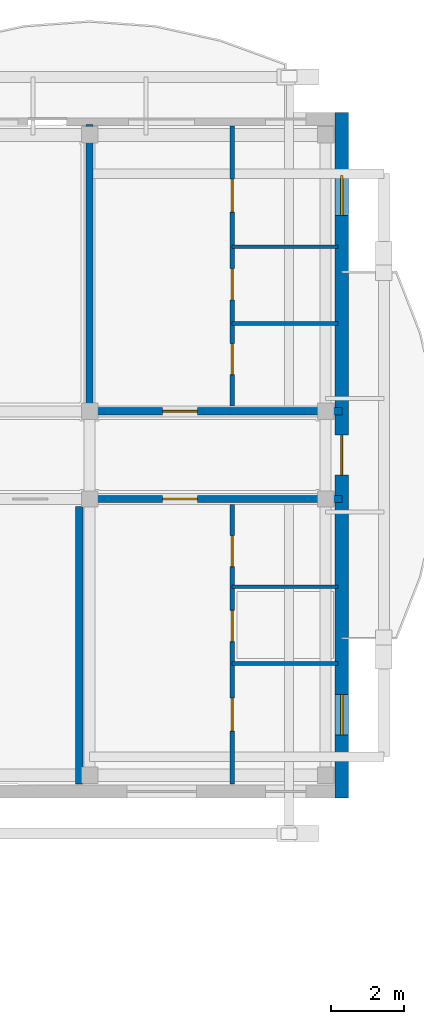
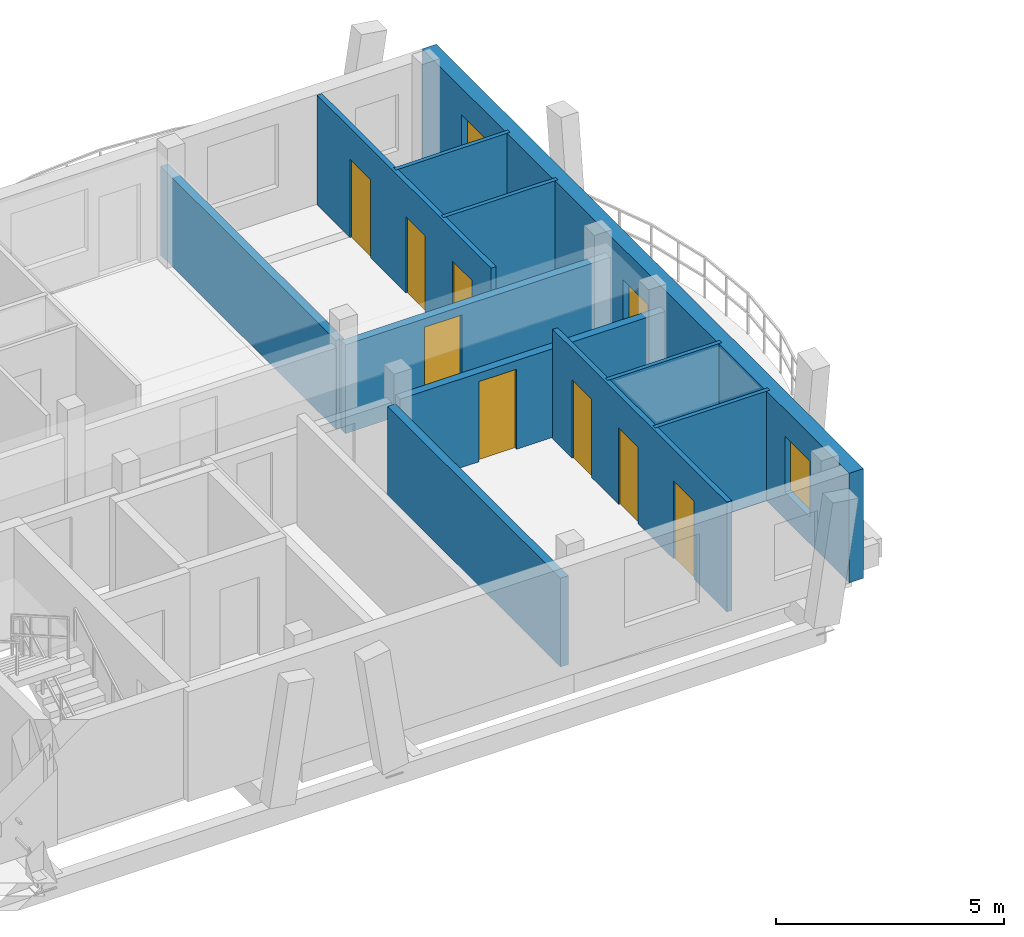
# One storey, part 37 of 52: 11 walls, 9 doors, 2 windows, 11 openings.
"""IFC4 building model written with IfcOpenShell, lengths in metres."""

from ifc_helpers import new_model, si_unit, direction, frame, frame_2d, origin, origin_with_axes, place, context, subcontext, project, spatial, rectangle, extrude, material, layer, layer_set, type_object, element, fill, save


model = new_model("IFC4")

# Units and contexts
model_context = context("Model", 3, precision=1e-05, world=origin(), true_north=direction((0.0, 1.0)))
body_context = subcontext(model_context, "Body", "Model", "MODEL_VIEW")
ifc_project = project(units=[si_unit("LENGTHUNIT", "METRE"), si_unit("AREAUNIT", "SQUARE_METRE"), si_unit("VOLUMEUNIT", "CUBIC_METRE"), si_unit("PLANEANGLEUNIT", "RADIAN"), si_unit("MASSUNIT", "GRAM", prefix="KILO")], contexts=[model_context])

# Site, building, storey
site_placement = place(None, origin())
site = spatial("IfcSite", under=ifc_project, at=site_placement, CompositionType="ELEMENT")
building_placement = place(site_placement, origin())
building = spatial("IfcBuilding", under=site, at=building_placement, Name="Zavelmont Quarter", CompositionType="ELEMENT")
storey_placement = place(building_placement, frame((0.0, 0.0, 14.39990234375)))
storey = spatial("IfcBuildingStorey", under=building, at=storey_placement, Name="L04", CompositionType="ELEMENT", Elevation=14.39990234375)

# Wall, openings, door, windows
ifc_material_1 = material(Name="Natural Belgian limestone", Category="masonry")
ifc_layer_1 = layer(ifc_material_1, 0.360107421875)
ifc_layer_set_1 = layer_set([ifc_layer_1], Name="Natural Belgian limestone")
wall_type_1 = type_object("IfcWallType", Name="EW02", PredefinedType="STANDARD", material=ifc_layer_set_1)
wall_1_placement = place(storey_placement, frame((168.0, 97.419921875, 0.0), z_axis=(0.0, 0.0, 1.0), x_axis=(0.0, 1.0, 0.0)))
wall_1 = element("IfcWall", 1, at=wall_1_placement, inside=storey, type_object=wall_type_1, Name="L04 exterior limestone wall EW02", PredefinedType="STANDARD", context=body_context, shape_type="SweptSolid", body=[
    extrude(rectangle(XDim=18.760009765625, YDim=0.360107421875, at=frame_2d((9.3798828125, 0.0))), origin(), (0.0, 0.0, 1.0), 2.940185546875),
])
opening_1_placement = place(wall_1_placement, frame((8.830078125, 0.0, 0.0)))
opening_1 = element("IfcOpeningElement", 2, at=opening_1_placement, cuts=wall_1, Name="Opening DR04B", PredefinedType="OPENING", context=body_context, shape_type="SweptSolid", body=[
    extrude(rectangle(XDim=1.10009765625, YDim=2.10009765625, at=frame_2d((0.550048828125, 1.050048828125))), frame((0.0, 0.19189453125, 0.0), z_axis=(0.0, -1.0, 0.0), x_axis=(1.0, 0.0, 0.0)), (0.0, 0.0, 1.0), 0.384033203125),
])
opening_2_placement = place(wall_1_placement, frame((1.72998046875, 0.0, 0.719970703125)))
opening_2 = element("IfcOpeningElement", 3, at=opening_2_placement, cuts=wall_1, Name="Opening WN09", PredefinedType="OPENING", context=body_context, shape_type="SweptSolid", body=[
    extrude(rectangle(XDim=1.10009765625, YDim=1.5, at=frame_2d((0.550048828125, 0.75))), frame((0.0, 0.19189453125, 0.0), z_axis=(0.0, -1.0, 0.0), x_axis=(1.0, 0.0, 0.0)), (0.0, 0.0, 1.0), 0.384033203125),
])
opening_3_placement = place(wall_1_placement, frame((15.929931640625, 0.0, 0.719970703125)))
opening_3 = element("IfcOpeningElement", 4, at=opening_3_placement, cuts=wall_1, Name="Opening WN09", PredefinedType="OPENING", context=body_context, shape_type="SweptSolid", body=[
    extrude(rectangle(XDim=1.10009765625, YDim=1.5, at=frame_2d((0.550048828125, 0.75))), frame((0.0, 0.19189453125, 0.0), z_axis=(0.0, -1.0, 0.0), x_axis=(1.0, 0.0, 0.0)), (0.0, 0.0, 1.0), 0.384033203125),
])
ifc_material_2 = material(Name="Thermally broken aluminium and double safety glass", Category="aluminium")
door_type_1 = type_object("IfcDoorType", Name="DR04B", OperationType="NOTDEFINED", PredefinedType="DOOR", material=ifc_material_2)
door_1_placement = place(opening_1_placement, origin_with_axes())
door_1 = element("IfcDoor", 5, at=door_1_placement, inside=storey, type_object=door_type_1, Name="Block C L04 terrace or vase balcony door", OperationType="SINGLE_SWING_LEFT", OverallHeight=2.10009765625, OverallWidth=1.10009765625, PredefinedType="DOOR", context=body_context, shape_type="SweptSolid", body=[
    extrude(rectangle(XDim=1.10009765625, YDim=2.10009765625, at=frame_2d((0.550048828125, 1.050048828125))), frame((0.0, 0.02490234375, 0.0), z_axis=(0.0, -1.0, 0.0), x_axis=(1.0, 0.0, 0.0)), (0.0, 0.0, 1.0), 0.050048828125),
])
fill(opening_1, door_1)
ifc_material_3 = material(Name="Double low-E insulated glazing in thermally broken aluminium frame", Category="aluminium")
window_type = type_object("IfcWindowType", Name="WN09", PartitioningType="SINGLE_PANEL", PredefinedType="WINDOW", material=ifc_material_3)
window_1_placement = place(opening_2_placement, origin_with_axes())
window_1 = element("IfcWindow", 6, at=window_1_placement, inside=storey, type_object=window_type, Name="L04 window WN09", OverallHeight=1.5, OverallWidth=1.10009765625, PartitioningType="SINGLE_PANEL", PredefinedType="WINDOW", context=body_context, shape_type="SweptSolid", body=[
    extrude(rectangle(XDim=1.10009765625, YDim=1.5, at=frame_2d((0.550048828125, 0.75))), frame((0.0, 0.030029296875, 0.0), z_axis=(0.0, -1.0, 0.0), x_axis=(1.0, 0.0, 0.0)), (0.0, 0.0, 1.0), 0.06005859375),
])
fill(opening_2, window_1)
window_2_placement = place(opening_3_placement, origin_with_axes())
window_2 = element("IfcWindow", 7, at=window_2_placement, inside=storey, type_object=window_type, Name="L04 window WN09", OverallHeight=1.5, OverallWidth=1.10009765625, PartitioningType="SINGLE_PANEL", PredefinedType="WINDOW", context=body_context, shape_type="SweptSolid", body=[
    extrude(rectangle(XDim=1.10009765625, YDim=1.5, at=frame_2d((0.550048828125, 0.75))), frame((0.0, 0.030029296875, 0.0), z_axis=(0.0, -1.0, 0.0), x_axis=(1.0, 0.0, 0.0)), (0.0, 0.0, 1.0), 0.06005859375),
])
fill(opening_3, window_2)

# Walls
ifc_material_4 = material(Name="Calcium-silicate blockwork and acoustic plaster", Category="masonry")
ifc_layer_2 = layer(ifc_material_4, 0.199951171875)
ifc_layer_set_2 = layer_set([ifc_layer_2], Name="Calcium-silicate blockwork and acoustic plaster")
wall_type_2 = type_object("IfcWallType", Name="IW01", PredefinedType="PARTITIONING", material=ifc_layer_set_2)
wall_2_placement = place(storey_placement, frame((160.820068359375, 97.800048828125, 0.0), z_axis=(0.0, 0.0, 1.0), x_axis=(0.0, 1.0, 0.0)))
element("IfcWall", 8, at=wall_2_placement, inside=storey, type_object=wall_type_2, Name="L04 Core service end wall IW01", PredefinedType="PARTITIONING", context=body_context, shape_type="SweptSolid", body=[
    extrude(rectangle(XDim=7.599853515625, YDim=0.199951171875, at=frame_2d((3.7998046875, 0.0))), origin(), (0.0, 0.0, 1.0), 2.380126953125),
])
wall_3_placement = place(storey_placement, frame((161.10009765625, 108.14990234375, 0.0), z_axis=(0.0, 0.0, 1.0), x_axis=(0.0, 1.0, 0.0)))
element("IfcWall", 9, at=wall_3_placement, inside=storey, type_object=wall_type_2, Name="L04 Inter-dwelling compartment wall IW01", PredefinedType="PARTITIONING", context=body_context, shape_type="SweptSolid", body=[
    extrude(rectangle(XDim=7.7001953125, YDim=0.199951171875, at=frame_2d((3.85009765625, 0.0))), origin(), (0.0, 0.0, 1.0), 2.380126953125),
])

# Wall, opening, door
wall_4_placement = place(storey_placement, frame((161.10009765625, 108.0, 0.0), z_axis=(0.0, 0.0, 1.0), x_axis=(1.0, 0.0, 0.0)))
wall_4 = element("IfcWall", 10, at=wall_4_placement, inside=storey, type_object=wall_type_2, Name="L04 Corridor compartment wall IW01", PredefinedType="PARTITIONING", context=body_context, shape_type="SweptSolid", body=[
    extrude(rectangle(XDim=6.89990234375, YDim=0.199951171875, at=frame_2d((3.449951171875, 0.0))), origin(), (0.0, 0.0, 1.0), 2.380126953125),
])
opening_4_placement = place(wall_4_placement, frame((2.0, 0.0, 0.0)))
opening_4 = element("IfcOpeningElement", 11, at=opening_4_placement, cuts=wall_4, Name="Opening DR02", PredefinedType="OPENING", context=body_context, shape_type="SweptSolid", body=[
    extrude(rectangle(XDim=0.949951171875, YDim=2.14990234375, at=frame_2d((0.47509765625, 1.074951171875))), frame((0.0, 0.11181640625, 0.0), z_axis=(0.0, -1.0, 0.0), x_axis=(1.0, 0.0, 0.0)), (0.0, 0.0, 1.0), 0.223876953125),
])
ifc_material_5 = material(Name="Solid-core oak fire leaf in steel frame", Category="steel")
door_type_2 = type_object("IfcDoorType", Name="DR02", OperationType="NOTDEFINED", PredefinedType="DOOR", material=ifc_material_5)
door_2_placement = place(opening_4_placement, origin_with_axes())
door_2 = element("IfcDoor", 12, at=door_2_placement, inside=storey, type_object=door_type_2, Name="L04 door DR02", OperationType="SINGLE_SWING_LEFT", OverallHeight=2.14990234375, OverallWidth=0.949951171875, PredefinedType="DOOR", context=body_context, shape_type="SweptSolid", body=[
    extrude(rectangle(XDim=0.949951171875, YDim=2.14990234375, at=frame_2d((0.47509765625, 1.074951171875))), frame((0.0, 0.02490234375, 0.0), z_axis=(0.0, -1.0, 0.0), x_axis=(1.0, 0.0, 0.0)), (0.0, 0.0, 1.0), 0.050048828125),
])
fill(opening_4, door_2)

wall_5_placement = place(storey_placement, frame((161.10009765625, 105.60009765625, 0.0), z_axis=(0.0, 0.0, 1.0), x_axis=(1.0, 0.0, 0.0)))
wall_5 = element("IfcWall", 13, at=wall_5_placement, inside=storey, type_object=wall_type_2, Name="L04 Corridor compartment wall IW01", PredefinedType="PARTITIONING", context=body_context, shape_type="SweptSolid", body=[
    extrude(rectangle(XDim=6.89990234375, YDim=0.199951171875, at=frame_2d((3.449951171875, 0.0))), origin(), (0.0, 0.0, 1.0), 2.380126953125),
])
opening_5_placement = place(wall_5_placement, frame((2.0, 0.0, 0.0)))
opening_5 = element("IfcOpeningElement", 14, at=opening_5_placement, cuts=wall_5, Name="Opening DR02", PredefinedType="OPENING", context=body_context, shape_type="SweptSolid", body=[
    extrude(rectangle(XDim=0.949951171875, YDim=2.14990234375, at=frame_2d((0.47509765625, 1.074951171875))), frame((0.0, 0.11181640625, 0.0), z_axis=(0.0, -1.0, 0.0), x_axis=(1.0, 0.0, 0.0)), (0.0, 0.0, 1.0), 0.223876953125),
])
door_3_placement = place(opening_5_placement, frame((0.949951171875, 0.0, 0.0), z_axis=(0.0, 0.0, 1.0), x_axis=(-1.0, 0.0, 0.0)))
door_3 = element("IfcDoor", 15, at=door_3_placement, inside=storey, type_object=door_type_2, Name="L04 door DR02", OperationType="SINGLE_SWING_LEFT", OverallHeight=2.14990234375, OverallWidth=0.949951171875, PredefinedType="DOOR", context=body_context, shape_type="SweptSolid", body=[
    extrude(rectangle(XDim=0.949951171875, YDim=2.14990234375, at=frame_2d((0.47509765625, 1.074951171875))), frame((0.0, 0.02490234375, 0.0), z_axis=(0.0, -1.0, 0.0), x_axis=(1.0, 0.0, 0.0)), (0.0, 0.0, 1.0), 0.050048828125),
])
fill(opening_5, door_3)

# Wall, openings, doors
ifc_material_6 = material(Name="Double gypsum board on acoustic steel stud", Category="steel")
ifc_layer_3 = layer(ifc_material_6, 0.125)
ifc_layer_set_3 = layer_set([ifc_layer_3], Name="Double gypsum board on acoustic steel stud")
wall_type_3 = type_object("IfcWallType", Name="IW03", PredefinedType="PARTITIONING", material=ifc_layer_set_3)
wall_6_placement = place(storey_placement, frame((165.0, 108.14990234375, 0.0), z_axis=(0.0, 0.0, 1.0), x_axis=(0.0, 1.0, 0.0)))
wall_6 = element("IfcWall", 16, at=wall_6_placement, inside=storey, type_object=wall_type_3, Name="L04 Partition IW03", PredefinedType="PARTITIONING", context=body_context, shape_type="SweptSolid", body=[
    extrude(rectangle(XDim=7.650146484375, YDim=0.125, at=frame_2d((3.8251953125, 0.0))), origin(), (0.0, 0.0, 1.0), 2.940185546875),
])
opening_6_placement = place(wall_6_placement, frame((0.85009765625, 0.0, 0.0)))
opening_6 = element("IfcOpeningElement", 17, at=opening_6_placement, cuts=wall_6, Name="Opening DR16", PredefinedType="OPENING", context=body_context, shape_type="SweptSolid", body=[
    extrude(rectangle(XDim=0.85009765625, YDim=2.10009765625, at=frame_2d((0.425048828125, 1.050048828125))), frame((0.0, 0.074462890625, 0.0), z_axis=(0.0, -1.0, 0.0), x_axis=(1.0, 0.0, 0.0)), (0.0, 0.0, 1.0), 0.14892578125),
])
opening_7_placement = place(wall_6_placement, frame((2.89990234375, 0.0, 0.0)))
opening_7 = element("IfcOpeningElement", 18, at=opening_7_placement, cuts=wall_6, Name="Opening DR06", PredefinedType="OPENING", context=body_context, shape_type="SweptSolid", body=[
    extrude(rectangle(XDim=0.85009765625, YDim=2.050048828125, at=frame_2d((0.425048828125, 1.02490234375))), frame((0.0, 0.074462890625, 0.0), z_axis=(0.0, -1.0, 0.0), x_axis=(1.0, 0.0, 0.0)), (0.0, 0.0, 1.0), 0.14892578125),
])
opening_8_placement = place(wall_6_placement, frame((5.300048828125, 0.0, 0.0)))
opening_8 = element("IfcOpeningElement", 19, at=opening_8_placement, cuts=wall_6, Name="Opening DR05", PredefinedType="OPENING", context=body_context, shape_type="SweptSolid", body=[
    extrude(rectangle(XDim=0.89990234375, YDim=2.10009765625, at=frame_2d((0.449951171875, 1.050048828125))), frame((0.0, 0.074462890625, 0.0), z_axis=(0.0, -1.0, 0.0), x_axis=(1.0, 0.0, 0.0)), (0.0, 0.0, 1.0), 0.14892578125),
])
ifc_material_7 = material(Name="Engineered oak flush interior door")
door_type_3 = type_object("IfcDoorType", Name="DR05", OperationType="NOTDEFINED", PredefinedType="DOOR", material=ifc_material_7)
door_4_placement = place(opening_8_placement, frame((0.89990234375, 0.0, 0.0), z_axis=(0.0, 0.0, 1.0), x_axis=(-1.0, 0.0, 0.0)))
door_4 = element("IfcDoor", 20, at=door_4_placement, inside=storey, type_object=door_type_3, Name="L04 door DR05", OperationType="SINGLE_SWING_LEFT", OverallHeight=2.10009765625, OverallWidth=0.89990234375, PredefinedType="DOOR", context=body_context, shape_type="SweptSolid", body=[
    extrude(rectangle(XDim=0.89990234375, YDim=2.10009765625, at=frame_2d((0.449951171875, 1.050048828125))), frame((0.0, 0.02490234375, 0.0), z_axis=(0.0, -1.0, 0.0), x_axis=(1.0, 0.0, 0.0)), (0.0, 0.0, 1.0), 0.050048828125),
])
fill(opening_8, door_4)
ifc_material_8 = material(Name="Moisture-resistant painted wet-room door")
door_type_4 = type_object("IfcDoorType", Name="DR06", OperationType="NOTDEFINED", PredefinedType="DOOR", material=ifc_material_8)
door_5_placement = place(opening_7_placement, origin_with_axes())
door_5 = element("IfcDoor", 21, at=door_5_placement, inside=storey, type_object=door_type_4, Name="L04 door DR06", OperationType="SINGLE_SWING_RIGHT", OverallHeight=2.050048828125, OverallWidth=0.85009765625, PredefinedType="DOOR", context=body_context, shape_type="SweptSolid", body=[
    extrude(rectangle(XDim=0.85009765625, YDim=2.050048828125, at=frame_2d((0.425048828125, 1.02490234375))), frame((0.0, 0.02490234375, 0.0), z_axis=(0.0, -1.0, 0.0), x_axis=(1.0, 0.0, 0.0)), (0.0, 0.0, 1.0), 0.050048828125),
])
fill(opening_7, door_5)
door_type_5 = type_object("IfcDoorType", Name="DR16", OperationType="NOTDEFINED", PredefinedType="DOOR", material=ifc_material_7)
door_6_placement = place(opening_6_placement, frame((0.85009765625, 0.0, 0.0), z_axis=(0.0, 0.0, 1.0), x_axis=(-1.0, 0.0, 0.0)))
door_6 = element("IfcDoor", 22, at=door_6_placement, inside=storey, type_object=door_type_5, Name="L04 door DR16", OperationType="SINGLE_SWING_LEFT", OverallHeight=2.10009765625, OverallWidth=0.85009765625, PredefinedType="DOOR", context=body_context, shape_type="SweptSolid", body=[
    extrude(rectangle(XDim=0.85009765625, YDim=2.10009765625, at=frame_2d((0.425048828125, 1.050048828125))), frame((0.0, 0.02490234375, 0.0), z_axis=(0.0, -1.0, 0.0), x_axis=(1.0, 0.0, 0.0)), (0.0, 0.0, 1.0), 0.050048828125),
])
fill(opening_6, door_6)

wall_7_placement = place(storey_placement, frame((165.0, 105.449951171875, 0.0), z_axis=(0.0, 0.0, 1.0), x_axis=(0.0, -1.0, 0.0)))
wall_7 = element("IfcWall", 23, at=wall_7_placement, inside=storey, type_object=wall_type_3, Name="L04 Partition IW03", PredefinedType="PARTITIONING", context=body_context, shape_type="SweptSolid", body=[
    extrude(rectangle(XDim=7.64990234375, YDim=0.125, at=frame_2d((3.824951171875, 0.0))), origin(), (0.0, 0.0, 1.0), 2.940185546875),
])
opening_9_placement = place(wall_7_placement, frame((0.85009765625, 0.0, 0.0)))
opening_9 = element("IfcOpeningElement", 24, at=opening_9_placement, cuts=wall_7, Name="Opening DR16", PredefinedType="OPENING", context=body_context, shape_type="SweptSolid", body=[
    extrude(rectangle(XDim=0.85009765625, YDim=2.10009765625, at=frame_2d((0.425048828125, 1.050048828125))), frame((0.0, 0.074462890625, 0.0), z_axis=(0.0, -1.0, 0.0), x_axis=(1.0, 0.0, 0.0)), (0.0, 0.0, 1.0), 0.14892578125),
])
opening_10_placement = place(wall_7_placement, frame((2.89990234375, 0.0, 0.0)))
opening_10 = element("IfcOpeningElement", 25, at=opening_10_placement, cuts=wall_7, Name="Opening DR06", PredefinedType="OPENING", context=body_context, shape_type="SweptSolid", body=[
    extrude(rectangle(XDim=0.85009765625, YDim=2.050048828125, at=frame_2d((0.425048828125, 1.02490234375))), frame((0.0, 0.074462890625, 0.0), z_axis=(0.0, -1.0, 0.0), x_axis=(1.0, 0.0, 0.0)), (0.0, 0.0, 1.0), 0.14892578125),
])
opening_11_placement = place(wall_7_placement, frame((5.300048828125, 0.0, 0.0)))
opening_11 = element("IfcOpeningElement", 26, at=opening_11_placement, cuts=wall_7, Name="Opening DR05", PredefinedType="OPENING", context=body_context, shape_type="SweptSolid", body=[
    extrude(rectangle(XDim=0.89990234375, YDim=2.10009765625, at=frame_2d((0.449951171875, 1.050048828125))), frame((0.0, 0.074462890625, 0.0), z_axis=(0.0, -1.0, 0.0), x_axis=(1.0, 0.0, 0.0)), (0.0, 0.0, 1.0), 0.14892578125),
])
door_7_placement = place(opening_11_placement, origin_with_axes())
door_7 = element("IfcDoor", 27, at=door_7_placement, inside=storey, type_object=door_type_3, Name="L04 door DR05", OperationType="SINGLE_SWING_LEFT", OverallHeight=2.10009765625, OverallWidth=0.89990234375, PredefinedType="DOOR", context=body_context, shape_type="SweptSolid", body=[
    extrude(rectangle(XDim=0.89990234375, YDim=2.10009765625, at=frame_2d((0.449951171875, 1.050048828125))), frame((0.0, 0.02490234375, 0.0), z_axis=(0.0, -1.0, 0.0), x_axis=(1.0, 0.0, 0.0)), (0.0, 0.0, 1.0), 0.050048828125),
])
fill(opening_11, door_7)
door_8_placement = place(opening_10_placement, frame((0.85009765625, 0.0, 0.0), z_axis=(0.0, 0.0, 1.0), x_axis=(-1.0, 0.0, 0.0)))
door_8 = element("IfcDoor", 28, at=door_8_placement, inside=storey, type_object=door_type_4, Name="L04 door DR06", OperationType="SINGLE_SWING_RIGHT", OverallHeight=2.050048828125, OverallWidth=0.85009765625, PredefinedType="DOOR", context=body_context, shape_type="SweptSolid", body=[
    extrude(rectangle(XDim=0.85009765625, YDim=2.050048828125, at=frame_2d((0.425048828125, 1.02490234375))), frame((0.0, 0.02490234375, 0.0), z_axis=(0.0, -1.0, 0.0), x_axis=(1.0, 0.0, 0.0)), (0.0, 0.0, 1.0), 0.050048828125),
])
fill(opening_10, door_8)
door_9_placement = place(opening_9_placement, origin_with_axes())
door_9 = element("IfcDoor", 29, at=door_9_placement, inside=storey, type_object=door_type_5, Name="L04 door DR16", OperationType="SINGLE_SWING_LEFT", OverallHeight=2.10009765625, OverallWidth=0.85009765625, PredefinedType="DOOR", context=body_context, shape_type="SweptSolid", body=[
    extrude(rectangle(XDim=0.85009765625, YDim=2.10009765625, at=frame_2d((0.425048828125, 1.050048828125))), frame((0.0, 0.02490234375, 0.0), z_axis=(0.0, -1.0, 0.0), x_axis=(1.0, 0.0, 0.0)), (0.0, 0.0, 1.0), 0.050048828125),
])
fill(opening_9, door_9)

# Walls
ifc_material_9 = material(Name="Moisture-resistant gypsum board on steel stud", Category="steel")
ifc_layer_4 = layer(ifc_material_9, 0.10009765625)
ifc_layer_set_4 = layer_set([ifc_layer_4], Name="Moisture-resistant gypsum board on steel stud")
wall_type_4 = type_object("IfcWallType", Name="IW04", PredefinedType="PARTITIONING", material=ifc_layer_set_4)
for number, where, z_axis, x_axis, name in (
    (30, (165.0, 110.39990234375, 0.0), (0.0, 0.0, 1.0), (1.0, 0.0, 0.0), "L04 Partition IW04"),
    (31, (165.0, 112.5, 0.0), (0.0, 0.0, 1.0), (1.0, 0.0, 0.0), "L04 Partition IW04"),
    (32, (165.0, 103.199951171875, 0.0), (0.0, 0.0, 1.0), (1.0, 0.0, 0.0), "L04 Partition IW04"),
    (33, (165.0, 101.10009765625, 0.0), (0.0, 0.0, 1.0), (1.0, 0.0, 0.0), "L04 Partition IW04"),
):
    element("IfcWall", number, at=place(storey_placement, frame(where, z_axis=z_axis, x_axis=x_axis)), inside=storey, type_object=wall_type_4, Name=name, PredefinedType="PARTITIONING", context=body_context, shape_type="SweptSolid", body=[
        extrude(rectangle(XDim=2.89990234375, YDim=0.10009765625, at=frame_2d((1.449951171875, 0.0))), origin(), (0.0, 0.0, 1.0), 2.940185546875),
    ])

save(model, "model.ifc")
